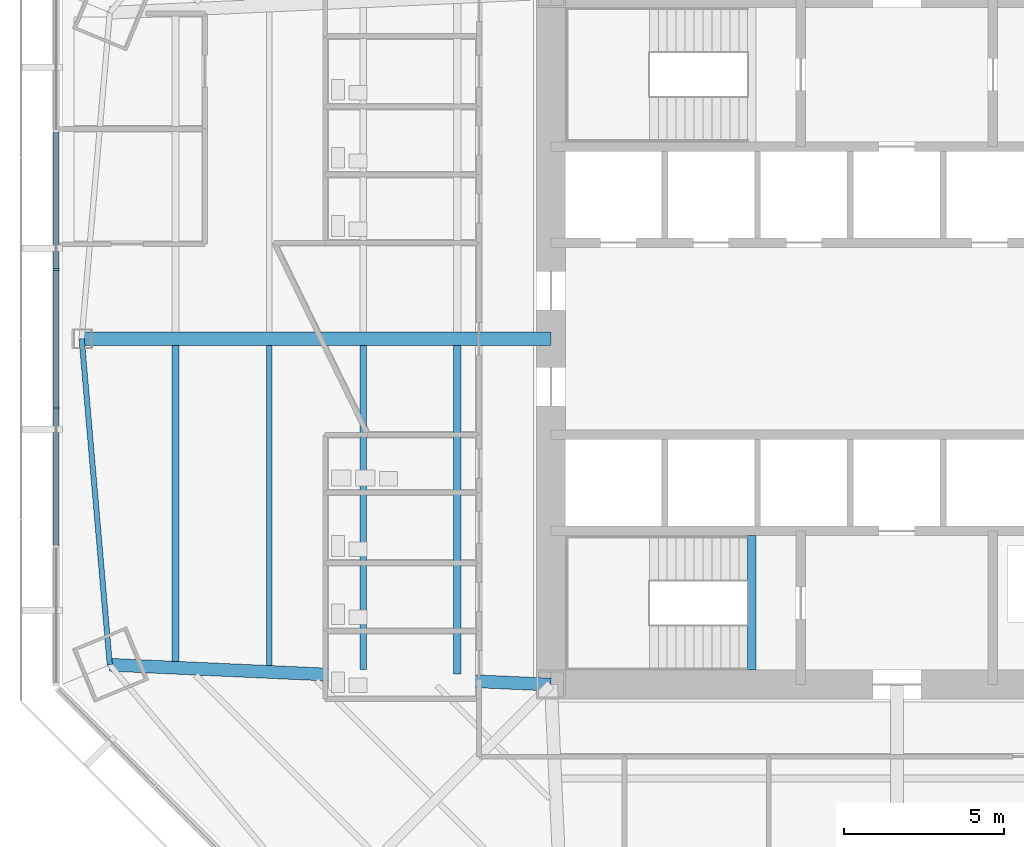
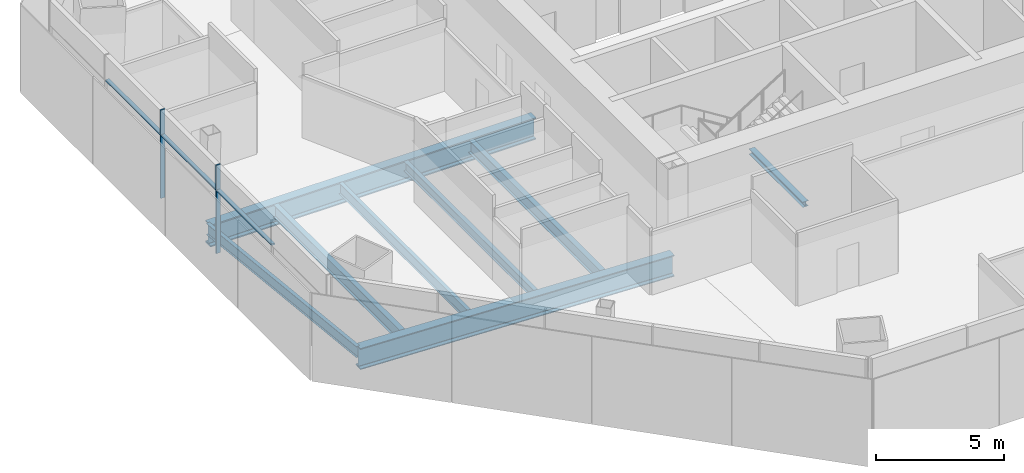
# One storey, part 3 of 15: 8 beams, 5 members, 1 element without a shape of its own.
"""IFC4 building model written with IfcOpenShell, lengths in metres."""

from ifc_helpers import new_model, si_unit, direction, frame, origin, origin_2d, place, context, subcontext, project, spatial, rectangle, i_section, extrude, source, transform, mapped, material, material_profile, profile_set, type_object, type_shapes, element, aggregate, save


model = new_model("IFC4")

# Units and contexts
model_context = context("Model", 3, precision=1e-05, world=origin(), true_north=direction((0.0, 1.0)))
body_context = subcontext(model_context, "Body", "Model", "MODEL_VIEW")
ifc_project = project(units=[si_unit("LENGTHUNIT", "METRE"), si_unit("AREAUNIT", "SQUARE_METRE"), si_unit("VOLUMEUNIT", "CUBIC_METRE"), si_unit("PLANEANGLEUNIT", "RADIAN"), si_unit("MASSUNIT", "GRAM", prefix="KILO")], contexts=[model_context])

# Site, building, storey
site_placement = place(None, origin())
site = spatial("IfcSite", under=ifc_project, at=site_placement, CompositionType="ELEMENT")
building_placement = place(site_placement, origin())
building = spatial("IfcBuilding", under=site, at=building_placement, Name="Mashrafa Tower", CompositionType="ELEMENT")
storey_placement = place(building_placement, frame((0.0, 0.0, 62.39990234375)))
storey = spatial("IfcBuildingStorey", under=building, at=storey_placement, Name="L13", CompositionType="ELEMENT", Elevation=62.39990234375)

# Beams
ifc_material_1 = material(Name="Steel ASTM A992", Category="steel")
ifc_material_profile_1 = material_profile(ifc_material_1, i_section(OverallWidth=0.191162109375, OverallDepth=0.459716796875, WebThickness=0.010009765625, FlangeThickness=0.01611328125, FilletRadius=0.01025390625, at=origin_2d()), Name="W18X55")
ifc_profile_set_1 = profile_set([ifc_material_profile_1], Name="Steel ASTM A992")
beam_type_1 = type_object("IfcBeamType", Name="Beam W18X55", PredefinedType="BEAM", material=ifc_profile_set_1)
beam_1_placement = place(storey_placement, frame((-16.66162109375, -10.335205078125, -0.394775390625), z_axis=(0.0, 1.0, 0.0), x_axis=(-1.0, 0.0, 0.0)))
element("IfcBeam", 1, at=beam_1_placement, inside=storey, type_object=beam_type_1, Name="Floor beam L13 007", PredefinedType="BEAM", context=body_context, shape_type="SweptSolid", body=[
    extrude(i_section(OverallWidth=0.191162109375, OverallDepth=0.459716796875, WebThickness=0.010009765625, FlangeThickness=0.01611328125, FilletRadius=0.01025390625, at=origin_2d()), origin(), (0.0, 0.0, 1.0), 10.130615234375),
])
ifc_material_2 = material(Name="Steel ASTM A992", Category="steel")
ifc_material_profile_2 = material_profile(ifc_material_2, i_section(OverallWidth=0.165771484375, OverallDepth=0.5283203125, WebThickness=0.009765625, FlangeThickness=0.013671875, FilletRadius=0.012939453125, at=origin_2d()), Name="W21X50")
ifc_profile_set_2 = profile_set([ifc_material_profile_2], Name="Steel ASTM A992")
beam_type_2 = type_object("IfcBeamType", Name="Beam W21X50", PredefinedType="BEAM", material=ifc_profile_set_2)
beam_2_placement = place(storey_placement, frame((-19.592529296875, -10.203125, -0.428955078125), z_axis=(0.0, 1.0, 0.0), x_axis=(-1.0, 0.0, 0.0)))
element("IfcBeam", 2, at=beam_2_placement, inside=storey, type_object=beam_type_2, Name="Floor beam L13 004", PredefinedType="BEAM", context=body_context, shape_type="SweptSolid", body=[
    extrude(i_section(OverallWidth=0.165771484375, OverallDepth=0.5283203125, WebThickness=0.009765625, FlangeThickness=0.013671875, FilletRadius=0.012939453125, at=origin_2d()), origin(), (0.0, 0.0, 1.0), 9.99853515625),
])
beam_3_placement = place(storey_placement, frame((-25.4541015625, 0.0, -0.428955078125), z_axis=(0.085948046194, -0.996299620273, 0.0), x_axis=(0.996299620273, 0.085948046194, 0.0)))
element("IfcBeam", 3, at=beam_3_placement, inside=storey, type_object=beam_type_2, Name="Spandrel beam L13 073", PredefinedType="BEAM", context=body_context, shape_type="SweptSolid", body=[
    extrude(i_section(OverallWidth=0.165771484375, OverallDepth=0.5283203125, WebThickness=0.009765625, FlangeThickness=0.013671875, FilletRadius=0.012939453125, at=origin_2d()), origin(), (0.0, 0.0, 1.0), 10.217529296875),
])
ifc_material_3 = material(Name="Steel ASTM A992", Category="steel")
ifc_material_profile_3 = material_profile(ifc_material_3, i_section(OverallWidth=0.227783203125, OverallDepth=0.60205078125, WebThickness=0.010498046875, FlangeThickness=0.014892578125, FilletRadius=0.012939453125, at=origin_2d()), Name="W24X68")
ifc_profile_set_3 = profile_set([ifc_material_profile_3], Name="Steel ASTM A992")
beam_type_3 = type_object("IfcBeamType", Name="Beam W24X68", PredefinedType="BEAM", material=ifc_profile_set_3)
beam_4_placement = place(storey_placement, frame((-22.5234375, -10.0712890625, -0.4658203125), z_axis=(0.0, 1.0, 0.0), x_axis=(-1.0, 0.0, 0.0)))
element("IfcBeam", 4, at=beam_4_placement, inside=storey, type_object=beam_type_3, Name="Floor beam L13 001", PredefinedType="BEAM", context=body_context, shape_type="SweptSolid", body=[
    extrude(i_section(OverallWidth=0.227783203125, OverallDepth=0.60205078125, WebThickness=0.010498046875, FlangeThickness=0.014892578125, FilletRadius=0.012939453125, at=origin_2d()), origin(), (0.0, 0.0, 1.0), 9.86669921875),
])
beam_5_placement = place(storey_placement, frame((-13.730712890625, -10.467041015625, -0.4658203125), z_axis=(0.0, 1.0, 0.0), x_axis=(-1.0, 0.0, 0.0)))
element("IfcBeam", 5, at=beam_5_placement, inside=storey, type_object=beam_type_3, Name="Floor beam L13 014", PredefinedType="BEAM", context=body_context, shape_type="SweptSolid", body=[
    extrude(i_section(OverallWidth=0.227783203125, OverallDepth=0.60205078125, WebThickness=0.010498046875, FlangeThickness=0.014892578125, FilletRadius=0.012939453125, at=origin_2d()), origin(), (0.0, 0.0, 1.0), 10.262451171875),
])
ifc_material_4 = material(Name="Steel ASTM A992", Category="steel")
ifc_material_profile_4 = material_profile(ifc_material_4, i_section(OverallWidth=0.4013671875, OverallDepth=1.010986328125, WebThickness=0.023681640625, FlangeThickness=0.0419921875, FilletRadius=0.02001953125, at=origin_2d()), Name="W40X297")
ifc_profile_set_4 = profile_set([ifc_material_profile_4], Name="Steel ASTM A992")
beam_type_4 = type_object("IfcBeamType", Name="Beam W40X297", PredefinedType="BEAM", material=ifc_profile_set_4)
beam_6_placement = place(storey_placement, frame((-10.800048828125, -10.800048828125, -0.67041015625), z_axis=(-0.998987579611, 0.044986840105, 0.0), x_axis=(-0.044986840105, -0.998987579611, 0.0)))
element("IfcBeam", 6, at=beam_6_placement, inside=storey, type_object=beam_type_4, Name="Radial girder L13 057", PredefinedType="BEAM", context=body_context, shape_type="SweptSolid", body=[
    extrude(i_section(OverallWidth=0.4013671875, OverallDepth=1.010986328125, WebThickness=0.023681640625, FlangeThickness=0.0419921875, FilletRadius=0.02001953125, at=origin_2d()), origin(), (0.0, 0.0, 1.0), 13.789794921875),
])
ifc_material_5 = material(Name="Steel ASTM A992", Category="steel")
ifc_material_profile_5 = material_profile(ifc_material_5, i_section(OverallWidth=0.408935546875, OverallDepth=1.04150390625, WebThickness=0.031005859375, FlangeThickness=0.055908203125, FilletRadius=0.020263671875, at=origin_2d()), Name="W40X397")
ifc_profile_set_5 = profile_set([ifc_material_profile_5], Name="Steel ASTM A992")
beam_type_5 = type_object("IfcBeamType", Name="Beam W40X397", PredefinedType="BEAM", material=ifc_profile_set_5)
beam_7_placement = place(storey_placement, frame((-10.800048828125, 0.0, -0.685546875), z_axis=(-1.0, 0.0, 0.0), x_axis=(0.0, -1.0, 0.0)))
element("IfcBeam", 7, at=beam_7_placement, inside=storey, type_object=beam_type_5, Name="Radial girder L13 060", PredefinedType="BEAM", context=body_context, shape_type="SweptSolid", body=[
    extrude(i_section(OverallWidth=0.408935546875, OverallDepth=1.04150390625, WebThickness=0.031005859375, FlangeThickness=0.055908203125, FilletRadius=0.020263671875, at=origin_2d()), origin(), (0.0, 0.0, 1.0), 14.654052734375),
])
ifc_material_6 = material(Name="Steel ASTM A992", Category="steel")
ifc_material_profile_6 = material_profile(ifc_material_6, i_section(OverallWidth=0.25390625, OverallDepth=0.25390625, WebThickness=0.008544921875, FlangeThickness=0.01416015625, FilletRadius=0.010009765625, at=origin_2d()), Name="W10X49")
ifc_profile_set_6 = profile_set([ifc_material_profile_6], Name="Steel ASTM A992")
beam_type_6 = type_object("IfcBeamType", Name="Hoistway beam W10X49", PredefinedType="BEAM", material=ifc_profile_set_6)
beam_8_placement = place(storey_placement, frame((-4.530029296875, -10.35009765625, -0.326904296875), z_axis=(0.0, 1.0, 0.0), x_axis=(-1.0, 0.0, 0.0)))
element("IfcBeam", 8, at=beam_8_placement, inside=storey, type_object=beam_type_6, Name="Stair S3 landing beam L13", PredefinedType="BEAM", context=body_context, shape_type="SweptSolid", body=[
    extrude(i_section(OverallWidth=0.25390625, OverallDepth=0.25390625, WebThickness=0.008544921875, FlangeThickness=0.01416015625, FilletRadius=0.010009765625, at=origin_2d()), origin(), (0.0, 0.0, 1.0), 4.2001953125),
])

# Curtain wall, members
ifc_material_7 = material(Name="Unitised aluminium curtain wall", Category="aluminium")
curtain_wall_type = type_object("IfcCurtainWallType", Name="Office curtain wall, zone 1 CW-A 200 deep", PredefinedType="NOTDEFINED", material=ifc_material_7)
curtain_wall_placement = place(storey_placement, origin())
curtain_wall = element("IfcCurtainWall", 9, at=curtain_wall_placement, inside=storey, type_object=curtain_wall_type, Name="Office curtain wall, zone 1 L13 west", PredefinedType="NOTDEFINED")
ifc_material_8 = material(Name="Extruded aluminium mullion", Category="aluminium")
ifc_material_profile_7 = material_profile(ifc_material_8, rectangle(XDim=0.199951171875, YDim=0.06494140625, at=origin_2d()), Name="Mullion 65x200")
ifc_profile_set_7 = profile_set([ifc_material_profile_7], Name="Extruded aluminium mullion")
member_type_1 = type_object("IfcMemberType", Name="Mullion CW-A 65 x 200", PredefinedType="MULLION", material=ifc_profile_set_7)
shared_shape_1 = source(origin(), body_context, "Body", "SweptSolid", [
    extrude(rectangle(XDim=0.199951171875, YDim=0.06494140625, at=origin_2d()), origin(), (0.0, 0.0, 1.0), 4.2001953125),
])
type_shapes(member_type_1, [shared_shape_1])
member_1_placement = place(storey_placement, frame((-26.24951171875, 2.164306640625, 0.0), z_axis=(0.0, 0.0, 1.0), x_axis=(1.0, 0.0, 0.0)))
member_1 = element("IfcMember", 10, at=member_1_placement, type_object=member_type_1, Name="CW-A mullion 3", PredefinedType="MULLION", context=body_context, shape_type="MappedRepresentation", body=[
    mapped(shared_shape_1, transform((0.0, 0.0, 0.0))),
])
member_2_placement = place(storey_placement, frame((-26.24951171875, -2.164306640625, 0.0), z_axis=(0.0, 0.0, 1.0), x_axis=(1.0, 0.0, 0.0)))
member_2 = element("IfcMember", 11, at=member_2_placement, type_object=member_type_1, Name="CW-A mullion 4", PredefinedType="MULLION", context=body_context, shape_type="MappedRepresentation", body=[
    mapped(shared_shape_1, transform((0.0, 0.0, 0.0))),
])
ifc_material_9 = material(Name="Extruded aluminium transom", Category="aluminium")
ifc_material_profile_8 = material_profile(ifc_material_9, rectangle(XDim=0.159912109375, YDim=0.080078125, at=origin_2d()), Name="Transom 80x160")
ifc_profile_set_8 = profile_set([ifc_material_profile_8], Name="Extruded aluminium transom")
member_type_2 = type_object("IfcMemberType", Name="Transom CW-A 80 x 160", PredefinedType="MULLION", material=ifc_profile_set_8)
shared_shape_2 = source(origin(), body_context, "Body", "SweptSolid", [
    extrude(rectangle(XDim=0.159912109375, YDim=0.080078125, at=origin_2d()), origin(), (0.0, 0.0, 1.0), 4.263671875),
])
type_shapes(member_type_2, [shared_shape_2])
member_3_placement = place(storey_placement, frame((-26.24951171875, 6.46044921875, 3.0), z_axis=(0.0, -1.0, 0.0), x_axis=(1.0, 0.0, 0.0)))
member_3 = element("IfcMember", 12, at=member_3_placement, type_object=member_type_2, Name="CW-A transom 2", PredefinedType="MULLION", context=body_context, shape_type="MappedRepresentation", body=[
    mapped(shared_shape_2, transform((0.0, 0.0, 0.0))),
])
member_4_placement = place(storey_placement, frame((-26.24951171875, 2.1318359375, 3.0), z_axis=(0.0, -1.0, 0.0), x_axis=(1.0, 0.0, 0.0)))
member_4 = element("IfcMember", 13, at=member_4_placement, type_object=member_type_2, Name="CW-A transom 3", PredefinedType="MULLION", context=body_context, shape_type="MappedRepresentation", body=[
    mapped(shared_shape_2, transform((0.0, 0.0, 0.0))),
])
member_5_placement = place(storey_placement, frame((-26.24951171875, -2.19677734375, 3.0), z_axis=(0.0, -1.0, 0.0), x_axis=(1.0, 0.0, 0.0)))
member_5 = element("IfcMember", 14, at=member_5_placement, type_object=member_type_2, Name="CW-A transom 4", PredefinedType="MULLION", context=body_context, shape_type="MappedRepresentation", body=[
    mapped(shared_shape_2, transform((0.0, 0.0, 0.0))),
])
aggregate(curtain_wall, [member_1, member_2, member_3, member_4, member_5])

save(model, "model.ifc")
